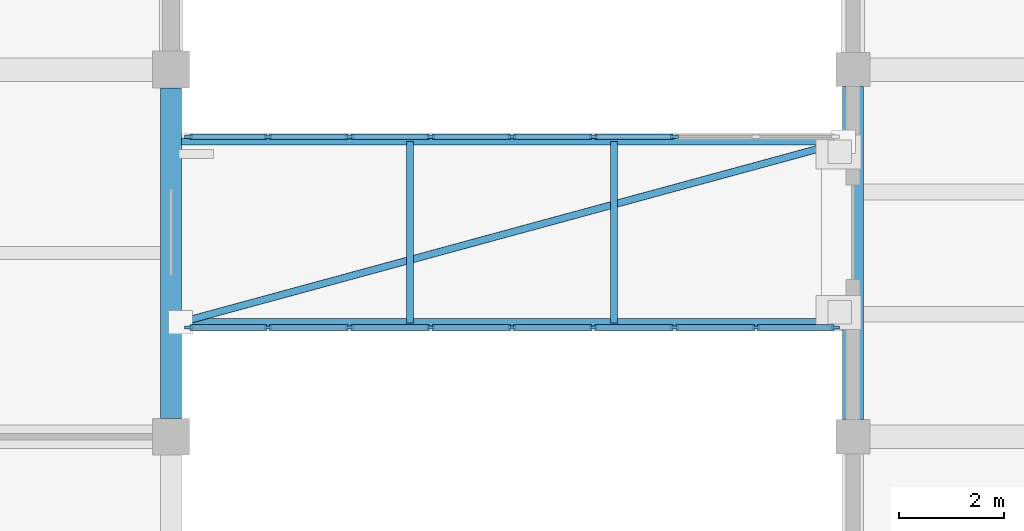
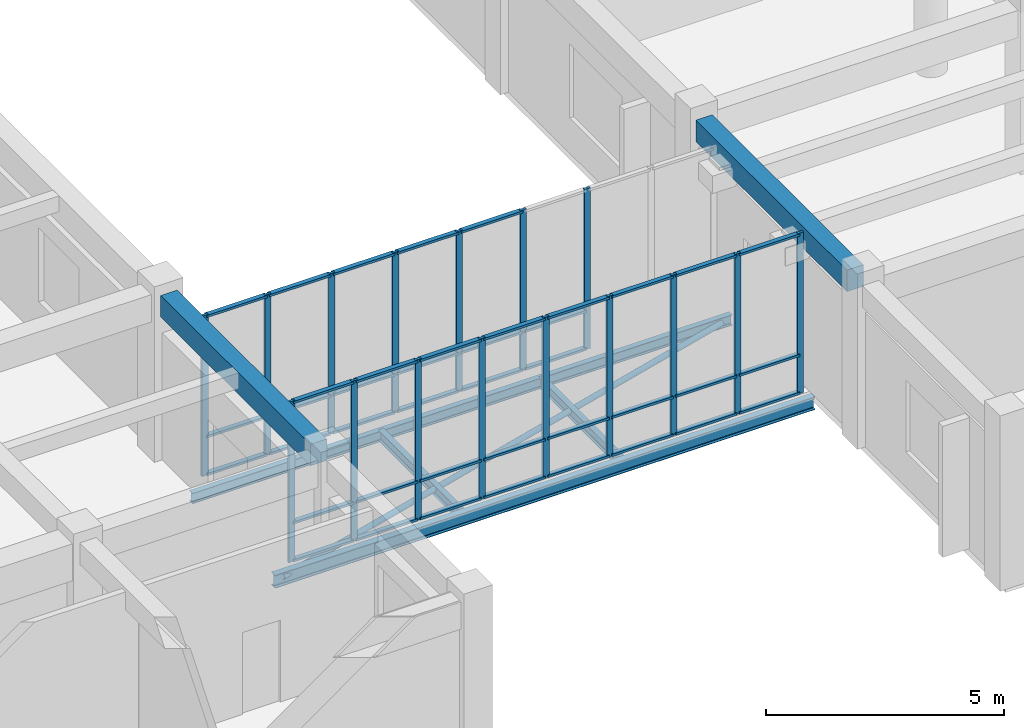
# One storey, part 6 of 70: 58 members, 6 beams, 2 elements without a shape of their own.
"""IFC4 building model written with IfcOpenShell, lengths in metres."""

from ifc_helpers import new_model, si_unit, direction, frame, origin, origin_2d, place, context, subcontext, project, spatial, rectangle, hollow_circle, i_section, extrude, material, layer, layer_set, material_profile, profile_set, type_object, element, aggregate, save


model = new_model("IFC4")

# Units and contexts
model_context = context("Model", 3, precision=1e-05, world=origin(), true_north=direction((0.0, 1.0)))
body_context = subcontext(model_context, "Body", "Model", "MODEL_VIEW")
ifc_project = project(units=[si_unit("LENGTHUNIT", "METRE"), si_unit("AREAUNIT", "SQUARE_METRE"), si_unit("VOLUMEUNIT", "CUBIC_METRE"), si_unit("PLANEANGLEUNIT", "RADIAN"), si_unit("MASSUNIT", "GRAM", prefix="KILO")], contexts=[model_context])

# Site, building, storey
site_placement = place(None, origin())
site = spatial("IfcSite", under=ifc_project, at=site_placement, CompositionType="ELEMENT")
building_placement = place(site_placement, origin())
building = spatial("IfcBuilding", under=site, at=building_placement, Name="Naurynzar Civic Courthouse", CompositionType="ELEMENT")
storey_placement = place(building_placement, frame((0.0, 0.0, 5.39990234375)))
storey = spatial("IfcBuildingStorey", under=building, at=storey_placement, Name="L02", CompositionType="ELEMENT", Elevation=5.39990234375)

# Beams
ifc_material_1 = material(Name="Concrete C40/50", Category="concrete")
ifc_material_profile_1 = material_profile(ifc_material_1, rectangle(XDim=0.39990234375, YDim=0.550048828125, at=origin_2d()), Name="RCB 400x550")
ifc_profile_set_1 = profile_set([ifc_material_profile_1], Name="Concrete C40/50")
beam_type_1 = type_object("IfcBeamType", Name="BM-RC-400x550", PredefinedType="BEAM", material=ifc_profile_set_1)
beam_1_placement = place(storey_placement, frame((69.0, 10.324951171875, 3.885009765625), z_axis=(0.0, 1.0, 0.0), x_axis=(-1.0, 0.0, 0.0)))
element("IfcBeam", 1, at=beam_1_placement, inside=storey, type_object=beam_type_1, Name="V3 girder Y-1370 L02", PredefinedType="BEAM", context=body_context, shape_type="SweptSolid", body=[
    extrude(rectangle(XDim=0.39990234375, YDim=0.550048828125, at=origin_2d()), origin(), (0.0, 0.0, 1.0), 6.35009765625),
])
beam_2_placement = place(storey_placement, frame((56.0, 10.35009765625, 3.955078125), z_axis=(0.0, 1.0, 0.0), x_axis=(-1.0, 0.0, 0.0)))
element("IfcBeam", 2, at=beam_2_placement, inside=storey, type_object=beam_type_1, Name="V4 girder Y-1845 L02", PredefinedType="BEAM", context=body_context, shape_type="SweptSolid", body=[
    extrude(rectangle(XDim=0.39990234375, YDim=0.550048828125, at=origin_2d()), origin(), (0.0, 0.0, 1.0), 6.2998046875),
])
ifc_material_2 = material(Name="Steel S355", Category="steel")
ifc_material_profile_2 = material_profile(ifc_material_2, i_section(OverallWidth=0.135009765625, OverallDepth=0.27001953125, WebThickness=0.006591796875, FlangeThickness=0.01025390625, FilletRadius=0.014892578125, at=origin_2d()), Name="IPE 270")
ifc_profile_set_2 = profile_set([ifc_material_profile_2], Name="Steel S355")
beam_type_2 = type_object("IfcBeamType", Name="BM-STL-IPE270", PredefinedType="BEAM", material=ifc_profile_set_2)
beam_3_placement = place(storey_placement, frame((55.949951171875, 15.6298828125, -0.375), z_axis=(1.0, 0.0, 0.0), x_axis=(0.0, 1.0, 0.0)))
element("IfcBeam", 3, at=beam_3_placement, inside=storey, type_object=beam_type_2, Name="BR-S1 edge steel beam L02.2", PredefinedType="BEAM", context=body_context, shape_type="SweptSolid", body=[
    extrude(i_section(OverallWidth=0.135009765625, OverallDepth=0.27001953125, WebThickness=0.006591796875, FlangeThickness=0.01025390625, FilletRadius=0.014892578125, at=origin_2d()), origin(), (0.0, 0.0, 1.0), 13.10009765625),
])
for number, where, z_axis, x_axis, name in (
    (4, (60.555908203125, 12.169921875, -0.375), (0.0, 1.0, 0.0), (-1.0, 0.0, 0.0), "BR-S1 deck cross-beam L02.1"),
    (5, (64.444091796875, 12.169921875, -0.375), (0.0, 1.0, 0.0), (-1.0, 0.0, 0.0), "BR-S1 deck cross-beam L02.2"),
):
    element("IfcBeam", number, at=place(storey_placement, frame(where, z_axis=z_axis, x_axis=x_axis)), inside=storey, type_object=beam_type_2, Name=name, PredefinedType="BEAM", context=body_context, shape_type="SweptSolid", body=[
        extrude(i_section(OverallWidth=0.135009765625, OverallDepth=0.27001953125, WebThickness=0.006591796875, FlangeThickness=0.01025390625, FilletRadius=0.014892578125, at=origin_2d()), origin(), (0.0, 0.0, 1.0), 3.4599609375),
    ])
ifc_material_3 = material(Name="Steel S355", Category="steel")
ifc_material_profile_3 = material_profile(ifc_material_3, i_section(OverallWidth=0.159912109375, OverallDepth=0.330078125, WebThickness=0.007568359375, FlangeThickness=0.011474609375, FilletRadius=0.01806640625, at=origin_2d()), Name="IPE 330")
ifc_profile_set_3 = profile_set([ifc_material_profile_3], Name="Steel S355")
beam_type_3 = type_object("IfcBeamType", Name="BM-STL-IPE330", PredefinedType="BEAM", material=ifc_profile_set_3)
beam_4_placement = place(storey_placement, frame((55.949951171875, 12.169921875, -0.40478515625), z_axis=(1.0, 0.0, 0.0), x_axis=(0.0, 1.0, 0.0)))
element("IfcBeam", 6, at=beam_4_placement, inside=storey, type_object=beam_type_3, Name="BR-S1 edge steel beam L02.1", PredefinedType="BEAM", context=body_context, shape_type="SweptSolid", body=[
    extrude(i_section(OverallWidth=0.159912109375, OverallDepth=0.330078125, WebThickness=0.007568359375, FlangeThickness=0.011474609375, FilletRadius=0.01806640625, at=origin_2d()), origin(), (0.0, 0.0, 1.0), 13.10009765625),
])

# Curtain wall, members
ifc_material_4 = material(Name="Aluminium 6063-T6", Category="aluminium")
ifc_layer = layer(ifc_material_4, 0.14990234375)
ifc_layer_set = layer_set([ifc_layer], Name="CW-BRIDGE-1500")
curtain_wall_type = type_object("IfcCurtainWallType", Name="CW-BRIDGE-1500", PredefinedType="USERDEFINED", material=ifc_layer_set)
curtain_wall_1_placement = place(storey_placement, origin())
curtain_wall_1 = element("IfcCurtainWall", 7, at=curtain_wall_1_placement, inside=storey, type_object=curtain_wall_type, Name="BR-S1 glazed bridge screen L02.1", ObjectType="GLAZED BRIDGE SCREEN", PredefinedType="USERDEFINED")
ifc_material_5 = material(Name="Aluminium 6063-T6", Category="aluminium")
ifc_material_profile_4 = material_profile(ifc_material_5, rectangle(XDim=0.06005859375, YDim=0.14990234375, at=origin_2d()), Name="ALU MULLION 60x150")
ifc_profile_set_4 = profile_set([ifc_material_profile_4], Name="Aluminium 6063-T6")
member_type_1 = type_object("IfcMemberType", Name="CWM-60x150", PredefinedType="MULLION", material=ifc_profile_set_4)
member_1_placement = place(storey_placement, frame((56.330078125, 12.080078125, 0.0), z_axis=(0.0, 0.0, 1.0), x_axis=(0.0, 1.0, 0.0)))
member_1 = element("IfcMember", 8, at=member_1_placement, type_object=member_type_1, Name="CW-03 mullion 1", PredefinedType="MULLION", context=body_context, shape_type="SweptSolid", body=[
    extrude(rectangle(XDim=0.06005859375, YDim=0.14990234375, at=origin_2d()), origin(), (0.0, 0.0, 1.0), 4.1201171875),
])
member_2_placement = place(storey_placement, frame((57.85009765625, 12.080078125, 0.0), z_axis=(0.0, 0.0, 1.0), x_axis=(0.0, 1.0, 0.0)))
member_2 = element("IfcMember", 9, at=member_2_placement, type_object=member_type_1, Name="CW-03 mullion 2", PredefinedType="MULLION", context=body_context, shape_type="SweptSolid", body=[
    extrude(rectangle(XDim=0.06005859375, YDim=0.14990234375, at=origin_2d()), origin(), (0.0, 0.0, 1.0), 4.1201171875),
])
member_3_placement = place(storey_placement, frame((59.39990234375, 12.080078125, 0.0), z_axis=(0.0, 0.0, 1.0), x_axis=(0.0, 1.0, 0.0)))
member_3 = element("IfcMember", 10, at=member_3_placement, type_object=member_type_1, Name="CW-03 mullion 3", PredefinedType="MULLION", context=body_context, shape_type="SweptSolid", body=[
    extrude(rectangle(XDim=0.06005859375, YDim=0.14990234375, at=origin_2d()), origin(), (0.0, 0.0, 1.0), 4.1201171875),
])
member_4_placement = place(storey_placement, frame((60.949951171875, 12.080078125, 0.0), z_axis=(0.0, 0.0, 1.0), x_axis=(0.0, 1.0, 0.0)))
member_4 = element("IfcMember", 11, at=member_4_placement, type_object=member_type_1, Name="CW-03 mullion 4", PredefinedType="MULLION", context=body_context, shape_type="SweptSolid", body=[
    extrude(rectangle(XDim=0.06005859375, YDim=0.14990234375, at=origin_2d()), origin(), (0.0, 0.0, 1.0), 4.1201171875),
])
member_5_placement = place(storey_placement, frame((62.5, 12.080078125, 0.0), z_axis=(0.0, 0.0, 1.0), x_axis=(0.0, 1.0, 0.0)))
member_5 = element("IfcMember", 12, at=member_5_placement, type_object=member_type_1, Name="CW-03 mullion 5", PredefinedType="MULLION", context=body_context, shape_type="SweptSolid", body=[
    extrude(rectangle(XDim=0.06005859375, YDim=0.14990234375, at=origin_2d()), origin(), (0.0, 0.0, 1.0), 4.1201171875),
])
member_6_placement = place(storey_placement, frame((64.050048828125, 12.080078125, 0.0), z_axis=(0.0, 0.0, 1.0), x_axis=(0.0, 1.0, 0.0)))
member_6 = element("IfcMember", 13, at=member_6_placement, type_object=member_type_1, Name="CW-03 mullion 6", PredefinedType="MULLION", context=body_context, shape_type="SweptSolid", body=[
    extrude(rectangle(XDim=0.06005859375, YDim=0.14990234375, at=origin_2d()), origin(), (0.0, 0.0, 1.0), 4.1201171875),
])
member_7_placement = place(storey_placement, frame((65.60009765625, 12.080078125, 0.0), z_axis=(0.0, 0.0, 1.0), x_axis=(0.0, 1.0, 0.0)))
member_7 = element("IfcMember", 14, at=member_7_placement, type_object=member_type_1, Name="CW-03 mullion 7", PredefinedType="MULLION", context=body_context, shape_type="SweptSolid", body=[
    extrude(rectangle(XDim=0.06005859375, YDim=0.14990234375, at=origin_2d()), origin(), (0.0, 0.0, 1.0), 4.1201171875),
])
member_8_placement = place(storey_placement, frame((67.14990234375, 12.080078125, 0.0), z_axis=(0.0, 0.0, 1.0), x_axis=(0.0, 1.0, 0.0)))
member_8 = element("IfcMember", 15, at=member_8_placement, type_object=member_type_1, Name="CW-03 mullion 8", PredefinedType="MULLION", context=body_context, shape_type="SweptSolid", body=[
    extrude(rectangle(XDim=0.06005859375, YDim=0.14990234375, at=origin_2d()), origin(), (0.0, 0.0, 1.0), 4.1201171875),
])
member_9_placement = place(storey_placement, frame((68.669921875, 12.080078125, 0.0), z_axis=(0.0, 0.0, 1.0), x_axis=(0.0, 1.0, 0.0)))
member_9 = element("IfcMember", 16, at=member_9_placement, type_object=member_type_1, Name="CW-03 mullion 9", PredefinedType="MULLION", context=body_context, shape_type="SweptSolid", body=[
    extrude(rectangle(XDim=0.06005859375, YDim=0.14990234375, at=origin_2d()), origin(), (0.0, 0.0, 1.0), 4.1201171875),
])

curtain_wall_2_placement = place(storey_placement, origin())
curtain_wall_2 = element("IfcCurtainWall", 17, at=curtain_wall_2_placement, inside=storey, type_object=curtain_wall_type, Name="BR-S1 glazed bridge screen L02.2", ObjectType="GLAZED BRIDGE SCREEN", PredefinedType="USERDEFINED")
member_10_placement = place(storey_placement, frame((65.60009765625, 15.719970703125, 0.0), z_axis=(0.0, 0.0, 1.0), x_axis=(0.0, -1.0, 0.0)))
member_10 = element("IfcMember", 18, at=member_10_placement, type_object=member_type_1, Name="CW-03 mullion 3", PredefinedType="MULLION", context=body_context, shape_type="SweptSolid", body=[
    extrude(rectangle(XDim=0.06005859375, YDim=0.14990234375, at=origin_2d()), origin(), (0.0, 0.0, 1.0), 4.1201171875),
])
member_11_placement = place(storey_placement, frame((64.050048828125, 15.719970703125, 0.0), z_axis=(0.0, 0.0, 1.0), x_axis=(0.0, -1.0, 0.0)))
member_11 = element("IfcMember", 19, at=member_11_placement, type_object=member_type_1, Name="CW-03 mullion 4", PredefinedType="MULLION", context=body_context, shape_type="SweptSolid", body=[
    extrude(rectangle(XDim=0.06005859375, YDim=0.14990234375, at=origin_2d()), origin(), (0.0, 0.0, 1.0), 4.1201171875),
])
member_12_placement = place(storey_placement, frame((62.5, 15.719970703125, 0.0), z_axis=(0.0, 0.0, 1.0), x_axis=(0.0, -1.0, 0.0)))
member_12 = element("IfcMember", 20, at=member_12_placement, type_object=member_type_1, Name="CW-03 mullion 5", PredefinedType="MULLION", context=body_context, shape_type="SweptSolid", body=[
    extrude(rectangle(XDim=0.06005859375, YDim=0.14990234375, at=origin_2d()), origin(), (0.0, 0.0, 1.0), 4.1201171875),
])
member_13_placement = place(storey_placement, frame((60.949951171875, 15.719970703125, 0.0), z_axis=(0.0, 0.0, 1.0), x_axis=(0.0, -1.0, 0.0)))
member_13 = element("IfcMember", 21, at=member_13_placement, type_object=member_type_1, Name="CW-03 mullion 6", PredefinedType="MULLION", context=body_context, shape_type="SweptSolid", body=[
    extrude(rectangle(XDim=0.06005859375, YDim=0.14990234375, at=origin_2d()), origin(), (0.0, 0.0, 1.0), 4.1201171875),
])
member_14_placement = place(storey_placement, frame((59.39990234375, 15.719970703125, 0.0), z_axis=(0.0, 0.0, 1.0), x_axis=(0.0, -1.0, 0.0)))
member_14 = element("IfcMember", 22, at=member_14_placement, type_object=member_type_1, Name="CW-03 mullion 7", PredefinedType="MULLION", context=body_context, shape_type="SweptSolid", body=[
    extrude(rectangle(XDim=0.06005859375, YDim=0.14990234375, at=origin_2d()), origin(), (0.0, 0.0, 1.0), 4.1201171875),
])
member_15_placement = place(storey_placement, frame((57.85009765625, 15.719970703125, 0.0), z_axis=(0.0, 0.0, 1.0), x_axis=(0.0, -1.0, 0.0)))
member_15 = element("IfcMember", 23, at=member_15_placement, type_object=member_type_1, Name="CW-03 mullion 8", PredefinedType="MULLION", context=body_context, shape_type="SweptSolid", body=[
    extrude(rectangle(XDim=0.06005859375, YDim=0.14990234375, at=origin_2d()), origin(), (0.0, 0.0, 1.0), 4.1201171875),
])
member_16_placement = place(storey_placement, frame((56.330078125, 15.719970703125, 0.0), z_axis=(0.0, 0.0, 1.0), x_axis=(0.0, -1.0, 0.0)))
member_16 = element("IfcMember", 24, at=member_16_placement, type_object=member_type_1, Name="CW-03 mullion 9", PredefinedType="MULLION", context=body_context, shape_type="SweptSolid", body=[
    extrude(rectangle(XDim=0.06005859375, YDim=0.14990234375, at=origin_2d()), origin(), (0.0, 0.0, 1.0), 4.1201171875),
])

# Member
ifc_material_6 = material(Name="Aluminium 6063-T6", Category="aluminium")
ifc_material_profile_5 = material_profile(ifc_material_6, rectangle(XDim=0.110107421875, YDim=0.06005859375, at=origin_2d()), Name="ALU TRANSOM 60x110")
ifc_profile_set_5 = profile_set([ifc_material_profile_5], Name="Aluminium 6063-T6")
member_type_2 = type_object("IfcMemberType", Name="CWT-60x110", PredefinedType="USERDEFINED", material=ifc_profile_set_5)
member_17_placement = place(storey_placement, frame((56.360107421875, 12.080078125, 0.030029296875), z_axis=(1.0, 0.0, 0.0), x_axis=(0.0, 1.0, 0.0)))
member_17 = element("IfcMember", 25, at=member_17_placement, type_object=member_type_2, Name="CW-03 transom 1.1", ObjectType="TRANSOM", PredefinedType="USERDEFINED", context=body_context, shape_type="SweptSolid", body=[
    extrude(rectangle(XDim=0.110107421875, YDim=0.06005859375, at=origin_2d()), origin(), (0.0, 0.0, 1.0), 1.4599609375),
])

member_18_placement = place(storey_placement, frame((56.360107421875, 12.080078125, 1.0), z_axis=(1.0, 0.0, 0.0), x_axis=(0.0, 1.0, 0.0)))
member_18 = element("IfcMember", 26, at=member_18_placement, type_object=member_type_2, Name="CW-03 transom 1.2", ObjectType="TRANSOM", PredefinedType="USERDEFINED", context=body_context, shape_type="SweptSolid", body=[
    extrude(rectangle(XDim=0.110107421875, YDim=0.06005859375, at=origin_2d()), origin(), (0.0, 0.0, 1.0), 1.4599609375),
])

member_19_placement = place(storey_placement, frame((56.360107421875, 12.080078125, 4.090087890625), z_axis=(1.0, 0.0, 0.0), x_axis=(0.0, 1.0, 0.0)))
member_19 = element("IfcMember", 27, at=member_19_placement, type_object=member_type_2, Name="CW-03 transom 1.3", ObjectType="TRANSOM", PredefinedType="USERDEFINED", context=body_context, shape_type="SweptSolid", body=[
    extrude(rectangle(XDim=0.110107421875, YDim=0.06005859375, at=origin_2d()), origin(), (0.0, 0.0, 1.0), 1.4599609375),
])

member_20_placement = place(storey_placement, frame((57.8798828125, 12.080078125, 0.030029296875), z_axis=(1.0, 0.0, 0.0), x_axis=(0.0, 1.0, 0.0)))
member_20 = element("IfcMember", 28, at=member_20_placement, type_object=member_type_2, Name="CW-03 transom 2.1", ObjectType="TRANSOM", PredefinedType="USERDEFINED", context=body_context, shape_type="SweptSolid", body=[
    extrude(rectangle(XDim=0.110107421875, YDim=0.06005859375, at=origin_2d()), origin(), (0.0, 0.0, 1.0), 1.490234375),
])

member_21_placement = place(storey_placement, frame((57.8798828125, 12.080078125, 1.0), z_axis=(1.0, 0.0, 0.0), x_axis=(0.0, 1.0, 0.0)))
member_21 = element("IfcMember", 29, at=member_21_placement, type_object=member_type_2, Name="CW-03 transom 2.2", ObjectType="TRANSOM", PredefinedType="USERDEFINED", context=body_context, shape_type="SweptSolid", body=[
    extrude(rectangle(XDim=0.110107421875, YDim=0.06005859375, at=origin_2d()), origin(), (0.0, 0.0, 1.0), 1.490234375),
])

member_22_placement = place(storey_placement, frame((57.8798828125, 12.080078125, 4.090087890625), z_axis=(1.0, 0.0, 0.0), x_axis=(0.0, 1.0, 0.0)))
member_22 = element("IfcMember", 30, at=member_22_placement, type_object=member_type_2, Name="CW-03 transom 2.3", ObjectType="TRANSOM", PredefinedType="USERDEFINED", context=body_context, shape_type="SweptSolid", body=[
    extrude(rectangle(XDim=0.110107421875, YDim=0.06005859375, at=origin_2d()), origin(), (0.0, 0.0, 1.0), 1.490234375),
])

member_23_placement = place(storey_placement, frame((59.429931640625, 12.080078125, 0.030029296875), z_axis=(1.0, 0.0, 0.0), x_axis=(0.0, 1.0, 0.0)))
member_23 = element("IfcMember", 31, at=member_23_placement, type_object=member_type_2, Name="CW-03 transom 3.1", ObjectType="TRANSOM", PredefinedType="USERDEFINED", context=body_context, shape_type="SweptSolid", body=[
    extrude(rectangle(XDim=0.110107421875, YDim=0.06005859375, at=origin_2d()), origin(), (0.0, 0.0, 1.0), 1.489990234375),
])

member_24_placement = place(storey_placement, frame((59.429931640625, 12.080078125, 1.0), z_axis=(1.0, 0.0, 0.0), x_axis=(0.0, 1.0, 0.0)))
member_24 = element("IfcMember", 32, at=member_24_placement, type_object=member_type_2, Name="CW-03 transom 3.2", ObjectType="TRANSOM", PredefinedType="USERDEFINED", context=body_context, shape_type="SweptSolid", body=[
    extrude(rectangle(XDim=0.110107421875, YDim=0.06005859375, at=origin_2d()), origin(), (0.0, 0.0, 1.0), 1.489990234375),
])

member_25_placement = place(storey_placement, frame((59.429931640625, 12.080078125, 4.090087890625), z_axis=(1.0, 0.0, 0.0), x_axis=(0.0, 1.0, 0.0)))
member_25 = element("IfcMember", 33, at=member_25_placement, type_object=member_type_2, Name="CW-03 transom 3.3", ObjectType="TRANSOM", PredefinedType="USERDEFINED", context=body_context, shape_type="SweptSolid", body=[
    extrude(rectangle(XDim=0.110107421875, YDim=0.06005859375, at=origin_2d()), origin(), (0.0, 0.0, 1.0), 1.489990234375),
])

member_26_placement = place(storey_placement, frame((60.97998046875, 12.080078125, 0.030029296875), z_axis=(1.0, 0.0, 0.0), x_axis=(0.0, 1.0, 0.0)))
member_26 = element("IfcMember", 34, at=member_26_placement, type_object=member_type_2, Name="CW-03 transom 4.1", ObjectType="TRANSOM", PredefinedType="USERDEFINED", context=body_context, shape_type="SweptSolid", body=[
    extrude(rectangle(XDim=0.110107421875, YDim=0.06005859375, at=origin_2d()), origin(), (0.0, 0.0, 1.0), 1.489990234375),
])

member_27_placement = place(storey_placement, frame((60.97998046875, 12.080078125, 1.0), z_axis=(1.0, 0.0, 0.0), x_axis=(0.0, 1.0, 0.0)))
member_27 = element("IfcMember", 35, at=member_27_placement, type_object=member_type_2, Name="CW-03 transom 4.2", ObjectType="TRANSOM", PredefinedType="USERDEFINED", context=body_context, shape_type="SweptSolid", body=[
    extrude(rectangle(XDim=0.110107421875, YDim=0.06005859375, at=origin_2d()), origin(), (0.0, 0.0, 1.0), 1.489990234375),
])

member_28_placement = place(storey_placement, frame((60.97998046875, 12.080078125, 4.090087890625), z_axis=(1.0, 0.0, 0.0), x_axis=(0.0, 1.0, 0.0)))
member_28 = element("IfcMember", 36, at=member_28_placement, type_object=member_type_2, Name="CW-03 transom 4.3", ObjectType="TRANSOM", PredefinedType="USERDEFINED", context=body_context, shape_type="SweptSolid", body=[
    extrude(rectangle(XDim=0.110107421875, YDim=0.06005859375, at=origin_2d()), origin(), (0.0, 0.0, 1.0), 1.489990234375),
])

member_29_placement = place(storey_placement, frame((62.530029296875, 12.080078125, 0.030029296875), z_axis=(1.0, 0.0, 0.0), x_axis=(0.0, 1.0, 0.0)))
member_29 = element("IfcMember", 37, at=member_29_placement, type_object=member_type_2, Name="CW-03 transom 5.1", ObjectType="TRANSOM", PredefinedType="USERDEFINED", context=body_context, shape_type="SweptSolid", body=[
    extrude(rectangle(XDim=0.110107421875, YDim=0.06005859375, at=origin_2d()), origin(), (0.0, 0.0, 1.0), 1.489990234375),
])

member_30_placement = place(storey_placement, frame((62.530029296875, 12.080078125, 1.0), z_axis=(1.0, 0.0, 0.0), x_axis=(0.0, 1.0, 0.0)))
member_30 = element("IfcMember", 38, at=member_30_placement, type_object=member_type_2, Name="CW-03 transom 5.2", ObjectType="TRANSOM", PredefinedType="USERDEFINED", context=body_context, shape_type="SweptSolid", body=[
    extrude(rectangle(XDim=0.110107421875, YDim=0.06005859375, at=origin_2d()), origin(), (0.0, 0.0, 1.0), 1.489990234375),
])

member_31_placement = place(storey_placement, frame((62.530029296875, 12.080078125, 4.090087890625), z_axis=(1.0, 0.0, 0.0), x_axis=(0.0, 1.0, 0.0)))
member_31 = element("IfcMember", 39, at=member_31_placement, type_object=member_type_2, Name="CW-03 transom 5.3", ObjectType="TRANSOM", PredefinedType="USERDEFINED", context=body_context, shape_type="SweptSolid", body=[
    extrude(rectangle(XDim=0.110107421875, YDim=0.06005859375, at=origin_2d()), origin(), (0.0, 0.0, 1.0), 1.489990234375),
])

member_32_placement = place(storey_placement, frame((64.080078125, 12.080078125, 0.030029296875), z_axis=(1.0, 0.0, 0.0), x_axis=(0.0, 1.0, 0.0)))
member_32 = element("IfcMember", 40, at=member_32_placement, type_object=member_type_2, Name="CW-03 transom 6.1", ObjectType="TRANSOM", PredefinedType="USERDEFINED", context=body_context, shape_type="SweptSolid", body=[
    extrude(rectangle(XDim=0.110107421875, YDim=0.06005859375, at=origin_2d()), origin(), (0.0, 0.0, 1.0), 1.489990234375),
])

member_33_placement = place(storey_placement, frame((64.080078125, 12.080078125, 1.0), z_axis=(1.0, 0.0, 0.0), x_axis=(0.0, 1.0, 0.0)))
member_33 = element("IfcMember", 41, at=member_33_placement, type_object=member_type_2, Name="CW-03 transom 6.2", ObjectType="TRANSOM", PredefinedType="USERDEFINED", context=body_context, shape_type="SweptSolid", body=[
    extrude(rectangle(XDim=0.110107421875, YDim=0.06005859375, at=origin_2d()), origin(), (0.0, 0.0, 1.0), 1.489990234375),
])

member_34_placement = place(storey_placement, frame((64.080078125, 12.080078125, 4.090087890625), z_axis=(1.0, 0.0, 0.0), x_axis=(0.0, 1.0, 0.0)))
member_34 = element("IfcMember", 42, at=member_34_placement, type_object=member_type_2, Name="CW-03 transom 6.3", ObjectType="TRANSOM", PredefinedType="USERDEFINED", context=body_context, shape_type="SweptSolid", body=[
    extrude(rectangle(XDim=0.110107421875, YDim=0.06005859375, at=origin_2d()), origin(), (0.0, 0.0, 1.0), 1.489990234375),
])

member_35_placement = place(storey_placement, frame((65.6298828125, 12.080078125, 0.030029296875), z_axis=(1.0, 0.0, 0.0), x_axis=(0.0, 1.0, 0.0)))
member_35 = element("IfcMember", 43, at=member_35_placement, type_object=member_type_2, Name="CW-03 transom 7.1", ObjectType="TRANSOM", PredefinedType="USERDEFINED", context=body_context, shape_type="SweptSolid", body=[
    extrude(rectangle(XDim=0.110107421875, YDim=0.06005859375, at=origin_2d()), origin(), (0.0, 0.0, 1.0), 1.490234375),
])

member_36_placement = place(storey_placement, frame((65.6298828125, 12.080078125, 1.0), z_axis=(1.0, 0.0, 0.0), x_axis=(0.0, 1.0, 0.0)))
member_36 = element("IfcMember", 44, at=member_36_placement, type_object=member_type_2, Name="CW-03 transom 7.2", ObjectType="TRANSOM", PredefinedType="USERDEFINED", context=body_context, shape_type="SweptSolid", body=[
    extrude(rectangle(XDim=0.110107421875, YDim=0.06005859375, at=origin_2d()), origin(), (0.0, 0.0, 1.0), 1.490234375),
])

member_37_placement = place(storey_placement, frame((65.6298828125, 12.080078125, 4.090087890625), z_axis=(1.0, 0.0, 0.0), x_axis=(0.0, 1.0, 0.0)))
member_37 = element("IfcMember", 45, at=member_37_placement, type_object=member_type_2, Name="CW-03 transom 7.3", ObjectType="TRANSOM", PredefinedType="USERDEFINED", context=body_context, shape_type="SweptSolid", body=[
    extrude(rectangle(XDim=0.110107421875, YDim=0.06005859375, at=origin_2d()), origin(), (0.0, 0.0, 1.0), 1.490234375),
])

member_38_placement = place(storey_placement, frame((67.179931640625, 12.080078125, 0.030029296875), z_axis=(1.0, 0.0, 0.0), x_axis=(0.0, 1.0, 0.0)))
member_38 = element("IfcMember", 46, at=member_38_placement, type_object=member_type_2, Name="CW-03 transom 8.1", ObjectType="TRANSOM", PredefinedType="USERDEFINED", context=body_context, shape_type="SweptSolid", body=[
    extrude(rectangle(XDim=0.110107421875, YDim=0.06005859375, at=origin_2d()), origin(), (0.0, 0.0, 1.0), 1.4599609375),
])

member_39_placement = place(storey_placement, frame((67.179931640625, 12.080078125, 1.0), z_axis=(1.0, 0.0, 0.0), x_axis=(0.0, 1.0, 0.0)))
member_39 = element("IfcMember", 47, at=member_39_placement, type_object=member_type_2, Name="CW-03 transom 8.2", ObjectType="TRANSOM", PredefinedType="USERDEFINED", context=body_context, shape_type="SweptSolid", body=[
    extrude(rectangle(XDim=0.110107421875, YDim=0.06005859375, at=origin_2d()), origin(), (0.0, 0.0, 1.0), 1.4599609375),
])

member_40_placement = place(storey_placement, frame((67.179931640625, 12.080078125, 4.090087890625), z_axis=(1.0, 0.0, 0.0), x_axis=(0.0, 1.0, 0.0)))
member_40 = element("IfcMember", 48, at=member_40_placement, type_object=member_type_2, Name="CW-03 transom 8.3", ObjectType="TRANSOM", PredefinedType="USERDEFINED", context=body_context, shape_type="SweptSolid", body=[
    extrude(rectangle(XDim=0.110107421875, YDim=0.06005859375, at=origin_2d()), origin(), (0.0, 0.0, 1.0), 1.4599609375),
])

aggregate(curtain_wall_1, [member_1, member_2, member_3, member_4, member_5, member_6, member_7, member_8, member_9, member_17, member_18, member_19, member_20, member_21, member_22, member_23, member_24, member_25, member_26, member_27, member_28, member_29, member_30, member_31, member_32, member_33, member_34, member_35, member_36, member_37, member_38, member_39, member_40])

member_41_placement = place(storey_placement, frame((65.570068359375, 15.719970703125, 0.030029296875), z_axis=(-1.0, 0.0, 0.0), x_axis=(0.0, -1.0, 0.0)))
member_41 = element("IfcMember", 49, at=member_41_placement, type_object=member_type_2, Name="CW-03 transom 3.1", ObjectType="TRANSOM", PredefinedType="USERDEFINED", context=body_context, shape_type="SweptSolid", body=[
    extrude(rectangle(XDim=0.110107421875, YDim=0.06005859375, at=origin_2d()), origin(), (0.0, 0.0, 1.0), 1.489990234375),
])

member_42_placement = place(storey_placement, frame((65.570068359375, 15.719970703125, 1.0), z_axis=(-1.0, 0.0, 0.0), x_axis=(0.0, -1.0, 0.0)))
member_42 = element("IfcMember", 50, at=member_42_placement, type_object=member_type_2, Name="CW-03 transom 3.2", ObjectType="TRANSOM", PredefinedType="USERDEFINED", context=body_context, shape_type="SweptSolid", body=[
    extrude(rectangle(XDim=0.110107421875, YDim=0.06005859375, at=origin_2d()), origin(), (0.0, 0.0, 1.0), 1.489990234375),
])

member_43_placement = place(storey_placement, frame((64.02001953125, 15.719970703125, 0.030029296875), z_axis=(-1.0, 0.0, 0.0), x_axis=(0.0, -1.0, 0.0)))
member_43 = element("IfcMember", 51, at=member_43_placement, type_object=member_type_2, Name="CW-03 transom 4.1", ObjectType="TRANSOM", PredefinedType="USERDEFINED", context=body_context, shape_type="SweptSolid", body=[
    extrude(rectangle(XDim=0.110107421875, YDim=0.06005859375, at=origin_2d()), origin(), (0.0, 0.0, 1.0), 1.489990234375),
])

member_44_placement = place(storey_placement, frame((64.02001953125, 15.719970703125, 1.0), z_axis=(-1.0, 0.0, 0.0), x_axis=(0.0, -1.0, 0.0)))
member_44 = element("IfcMember", 52, at=member_44_placement, type_object=member_type_2, Name="CW-03 transom 4.2", ObjectType="TRANSOM", PredefinedType="USERDEFINED", context=body_context, shape_type="SweptSolid", body=[
    extrude(rectangle(XDim=0.110107421875, YDim=0.06005859375, at=origin_2d()), origin(), (0.0, 0.0, 1.0), 1.489990234375),
])

member_45_placement = place(storey_placement, frame((64.02001953125, 15.719970703125, 4.090087890625), z_axis=(-1.0, 0.0, 0.0), x_axis=(0.0, -1.0, 0.0)))
member_45 = element("IfcMember", 53, at=member_45_placement, type_object=member_type_2, Name="CW-03 transom 4.3", ObjectType="TRANSOM", PredefinedType="USERDEFINED", context=body_context, shape_type="SweptSolid", body=[
    extrude(rectangle(XDim=0.110107421875, YDim=0.06005859375, at=origin_2d()), origin(), (0.0, 0.0, 1.0), 1.489990234375),
])

member_46_placement = place(storey_placement, frame((62.469970703125, 15.719970703125, 0.030029296875), z_axis=(-1.0, 0.0, 0.0), x_axis=(0.0, -1.0, 0.0)))
member_46 = element("IfcMember", 54, at=member_46_placement, type_object=member_type_2, Name="CW-03 transom 5.1", ObjectType="TRANSOM", PredefinedType="USERDEFINED", context=body_context, shape_type="SweptSolid", body=[
    extrude(rectangle(XDim=0.110107421875, YDim=0.06005859375, at=origin_2d()), origin(), (0.0, 0.0, 1.0), 1.489990234375),
])

member_47_placement = place(storey_placement, frame((62.469970703125, 15.719970703125, 1.0), z_axis=(-1.0, 0.0, 0.0), x_axis=(0.0, -1.0, 0.0)))
member_47 = element("IfcMember", 55, at=member_47_placement, type_object=member_type_2, Name="CW-03 transom 5.2", ObjectType="TRANSOM", PredefinedType="USERDEFINED", context=body_context, shape_type="SweptSolid", body=[
    extrude(rectangle(XDim=0.110107421875, YDim=0.06005859375, at=origin_2d()), origin(), (0.0, 0.0, 1.0), 1.489990234375),
])

member_48_placement = place(storey_placement, frame((62.469970703125, 15.719970703125, 4.090087890625), z_axis=(-1.0, 0.0, 0.0), x_axis=(0.0, -1.0, 0.0)))
member_48 = element("IfcMember", 56, at=member_48_placement, type_object=member_type_2, Name="CW-03 transom 5.3", ObjectType="TRANSOM", PredefinedType="USERDEFINED", context=body_context, shape_type="SweptSolid", body=[
    extrude(rectangle(XDim=0.110107421875, YDim=0.06005859375, at=origin_2d()), origin(), (0.0, 0.0, 1.0), 1.489990234375),
])

member_49_placement = place(storey_placement, frame((60.919921875, 15.719970703125, 0.030029296875), z_axis=(-1.0, 0.0, 0.0), x_axis=(0.0, -1.0, 0.0)))
member_49 = element("IfcMember", 57, at=member_49_placement, type_object=member_type_2, Name="CW-03 transom 6.1", ObjectType="TRANSOM", PredefinedType="USERDEFINED", context=body_context, shape_type="SweptSolid", body=[
    extrude(rectangle(XDim=0.110107421875, YDim=0.06005859375, at=origin_2d()), origin(), (0.0, 0.0, 1.0), 1.489990234375),
])

member_50_placement = place(storey_placement, frame((60.919921875, 15.719970703125, 1.0), z_axis=(-1.0, 0.0, 0.0), x_axis=(0.0, -1.0, 0.0)))
member_50 = element("IfcMember", 58, at=member_50_placement, type_object=member_type_2, Name="CW-03 transom 6.2", ObjectType="TRANSOM", PredefinedType="USERDEFINED", context=body_context, shape_type="SweptSolid", body=[
    extrude(rectangle(XDim=0.110107421875, YDim=0.06005859375, at=origin_2d()), origin(), (0.0, 0.0, 1.0), 1.489990234375),
])

member_51_placement = place(storey_placement, frame((60.919921875, 15.719970703125, 4.090087890625), z_axis=(-1.0, 0.0, 0.0), x_axis=(0.0, -1.0, 0.0)))
member_51 = element("IfcMember", 59, at=member_51_placement, type_object=member_type_2, Name="CW-03 transom 6.3", ObjectType="TRANSOM", PredefinedType="USERDEFINED", context=body_context, shape_type="SweptSolid", body=[
    extrude(rectangle(XDim=0.110107421875, YDim=0.06005859375, at=origin_2d()), origin(), (0.0, 0.0, 1.0), 1.489990234375),
])

member_52_placement = place(storey_placement, frame((59.3701171875, 15.719970703125, 0.030029296875), z_axis=(-1.0, 0.0, 0.0), x_axis=(0.0, -1.0, 0.0)))
member_52 = element("IfcMember", 60, at=member_52_placement, type_object=member_type_2, Name="CW-03 transom 7.1", ObjectType="TRANSOM", PredefinedType="USERDEFINED", context=body_context, shape_type="SweptSolid", body=[
    extrude(rectangle(XDim=0.110107421875, YDim=0.06005859375, at=origin_2d()), origin(), (0.0, 0.0, 1.0), 1.490234375),
])

member_53_placement = place(storey_placement, frame((59.3701171875, 15.719970703125, 1.0), z_axis=(-1.0, 0.0, 0.0), x_axis=(0.0, -1.0, 0.0)))
member_53 = element("IfcMember", 61, at=member_53_placement, type_object=member_type_2, Name="CW-03 transom 7.2", ObjectType="TRANSOM", PredefinedType="USERDEFINED", context=body_context, shape_type="SweptSolid", body=[
    extrude(rectangle(XDim=0.110107421875, YDim=0.06005859375, at=origin_2d()), origin(), (0.0, 0.0, 1.0), 1.490234375),
])

member_54_placement = place(storey_placement, frame((59.3701171875, 15.719970703125, 4.090087890625), z_axis=(-1.0, 0.0, 0.0), x_axis=(0.0, -1.0, 0.0)))
member_54 = element("IfcMember", 62, at=member_54_placement, type_object=member_type_2, Name="CW-03 transom 7.3", ObjectType="TRANSOM", PredefinedType="USERDEFINED", context=body_context, shape_type="SweptSolid", body=[
    extrude(rectangle(XDim=0.110107421875, YDim=0.06005859375, at=origin_2d()), origin(), (0.0, 0.0, 1.0), 1.490234375),
])

member_55_placement = place(storey_placement, frame((57.820068359375, 15.719970703125, 0.030029296875), z_axis=(-1.0, 0.0, 0.0), x_axis=(0.0, -1.0, 0.0)))
member_55 = element("IfcMember", 63, at=member_55_placement, type_object=member_type_2, Name="CW-03 transom 8.1", ObjectType="TRANSOM", PredefinedType="USERDEFINED", context=body_context, shape_type="SweptSolid", body=[
    extrude(rectangle(XDim=0.110107421875, YDim=0.06005859375, at=origin_2d()), origin(), (0.0, 0.0, 1.0), 1.4599609375),
])

member_56_placement = place(storey_placement, frame((57.820068359375, 15.719970703125, 1.0), z_axis=(-1.0, 0.0, 0.0), x_axis=(0.0, -1.0, 0.0)))
member_56 = element("IfcMember", 64, at=member_56_placement, type_object=member_type_2, Name="CW-03 transom 8.2", ObjectType="TRANSOM", PredefinedType="USERDEFINED", context=body_context, shape_type="SweptSolid", body=[
    extrude(rectangle(XDim=0.110107421875, YDim=0.06005859375, at=origin_2d()), origin(), (0.0, 0.0, 1.0), 1.4599609375),
])

member_57_placement = place(storey_placement, frame((57.820068359375, 15.719970703125, 4.090087890625), z_axis=(-1.0, 0.0, 0.0), x_axis=(0.0, -1.0, 0.0)))
member_57 = element("IfcMember", 65, at=member_57_placement, type_object=member_type_2, Name="CW-03 transom 8.3", ObjectType="TRANSOM", PredefinedType="USERDEFINED", context=body_context, shape_type="SweptSolid", body=[
    extrude(rectangle(XDim=0.110107421875, YDim=0.06005859375, at=origin_2d()), origin(), (0.0, 0.0, 1.0), 1.4599609375),
])

aggregate(curtain_wall_2, [member_10, member_11, member_12, member_13, member_14, member_15, member_16, member_41, member_42, member_43, member_44, member_45, member_46, member_47, member_48, member_49, member_50, member_51, member_52, member_53, member_54, member_55, member_56, member_57])

ifc_material_7 = material(Name="Steel S355", Category="steel")
ifc_material_profile_6 = material_profile(ifc_material_7, hollow_circle(Radius=0.06982421875, WallThickness=0.008056640625, at=origin_2d()), Name="CHS 139.7x8")
ifc_profile_set_6 = profile_set([ifc_material_profile_6], Name="Steel S355")
member_type_3 = type_object("IfcMemberType", Name="MEM-BRACE-CHS139", PredefinedType="BRACE", material=ifc_profile_set_6)
member_58_placement = place(storey_placement, frame((56.179931640625, 12.179931640625, -0.40478515625), z_axis=(0.964901744126, 0.262611165382, 0.0), x_axis=(-0.262611165382, 0.964901744126, 0.0)))
element("IfcMember", 66, at=member_58_placement, inside=storey, type_object=member_type_3, Name="BR-S1 wind brace L02.1", PredefinedType="BRACE", context=body_context, shape_type="SweptSolid", body=[
    extrude(hollow_circle(Radius=0.06982421875, WallThickness=0.008056640625, at=origin_2d()), origin(), (0.0, 0.0, 1.0), 13.099853515625),
])

save(model, "model.ifc")
